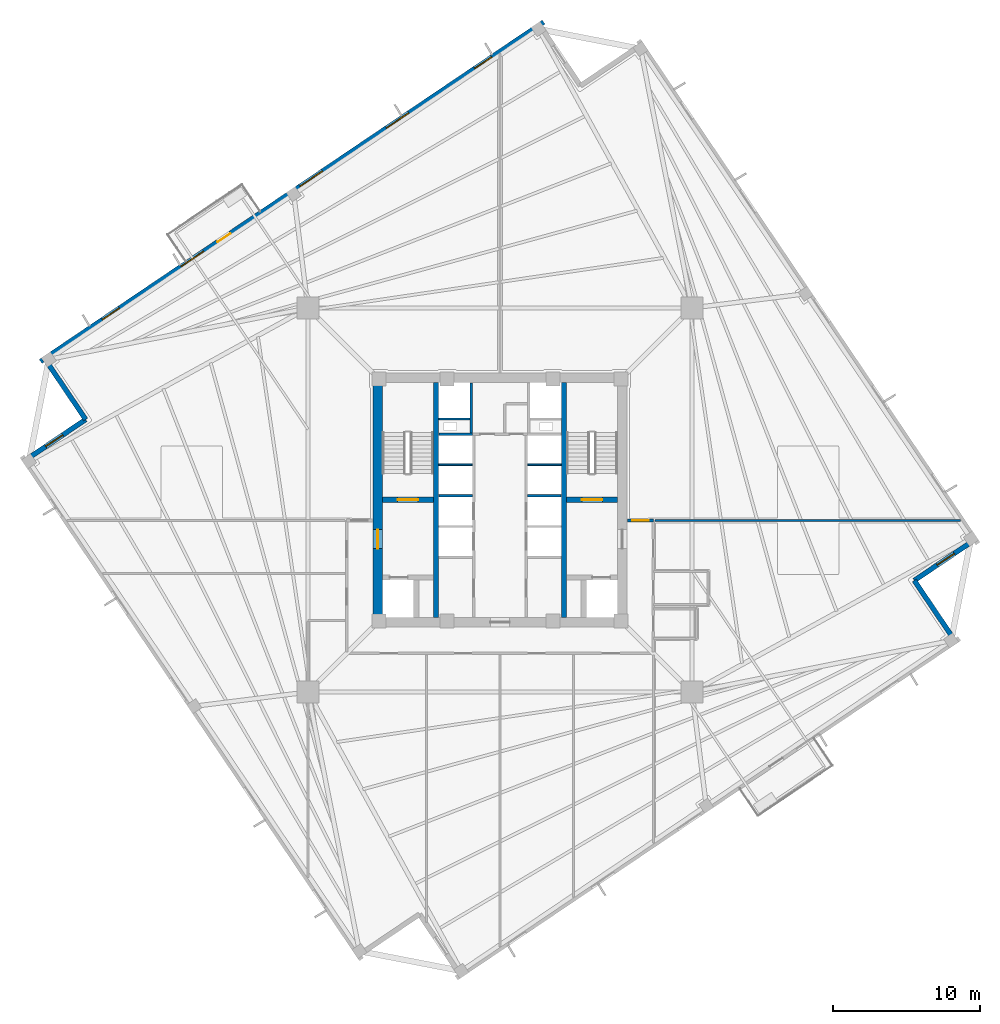
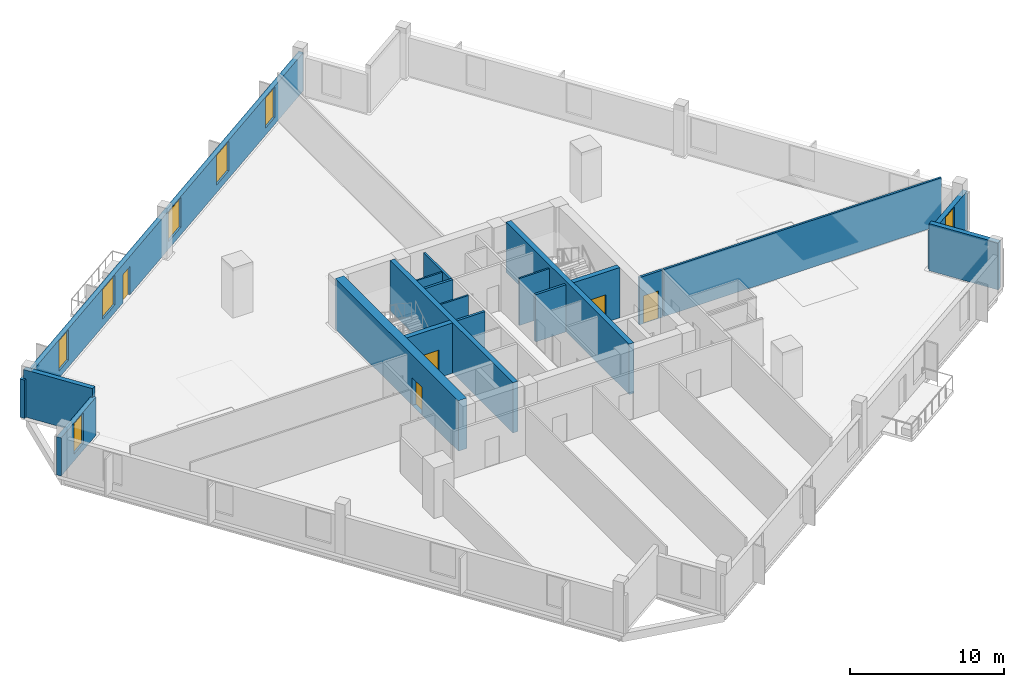
# One storey, part 4 of 8: 19 walls, 7 windows, 5 doors, 12 openings.
"""IFC4 building model written with IfcOpenShell, lengths in metres."""

from ifc_helpers import new_model, si_unit, direction, frame, frame_2d, origin, place, context, subcontext, project, spatial, rectangle, extrude, source, transform, mapped, material, layer, layer_set, type_object, element, fill, save


model = new_model("IFC4")

# Units and contexts
model_context = context("Model", 3, precision=1e-05, world=origin(), true_north=direction((0.0, 1.0)))
body_context = subcontext(model_context, "Body", "Model", "MODEL_VIEW")
ifc_project = project(units=[si_unit("LENGTHUNIT", "METRE"), si_unit("AREAUNIT", "SQUARE_METRE"), si_unit("VOLUMEUNIT", "CUBIC_METRE"), si_unit("PLANEANGLEUNIT", "RADIAN"), si_unit("MASSUNIT", "GRAM", prefix="KILO"), si_unit("THERMODYNAMICTEMPERATUREUNIT", "KELVIN")], contexts=[model_context])

# Site, building, storey
site_placement = place(None, origin())
site = spatial("IfcSite", under=ifc_project, at=site_placement, CompositionType="ELEMENT")
building_placement = place(site_placement, origin())
building = spatial("IfcBuilding", under=site, at=building_placement, Name="Kosmvard Interchange Tower", CompositionType="ELEMENT")
storey_placement = place(building_placement, frame((0.0, 0.0, 148.39990234375)))
storey = spatial("IfcBuildingStorey", under=building, at=storey_placement, Name="L35", CompositionType="ELEMENT", Elevation=148.39990234375)

# Walls
ifc_material_1 = material(Name="Acoustic gypsum partition system")
ifc_layer_1 = layer(ifc_material_1, 0.14990234375, Name="Acoustic gypsum partition system")
ifc_layer_set_1 = layer_set([ifc_layer_1], Name="Acoustic gypsum partition system")
wall_type_1 = type_object("IfcWallType", Name="Acoustic Suite & Meeting Partition 150", PredefinedType="PARTITIONING", material=ifc_layer_set_1)
wall_1_placement = place(storey_placement, frame((10.544921875, -1.39990234375, 0.0), z_axis=(0.0, 0.0, 1.0), x_axis=(1.0, 0.0, 0.0)))
element("IfcWall", 1, at=wall_1_placement, inside=storey, type_object=wall_type_1, Name="L35 Room Partition 03.1", PredefinedType="PARTITIONING", context=body_context, shape_type="SweptSolid", body=[
    extrude(rectangle(XDim=20.826171875, YDim=0.14990234375, at=frame_2d((10.4130859375, 0.0))), origin(), (0.0, 0.0, 1.0), 3.739990234375),
])
ifc_material_2 = material(Name="Fire-rated gypsum partition system")
ifc_layer_2 = layer(ifc_material_2, 0.159912109375, Name="Fire-rated gypsum partition system")
ifc_layer_set_2 = layer_set([ifc_layer_2], Name="Fire-rated gypsum partition system")
wall_type_2 = type_object("IfcWallType", Name="Core Compartment & Shuttle Lobby Partition 160", PredefinedType="PARTITIONING", material=ifc_layer_set_2)
wall_2_placement = place(storey_placement, frame((-1.9599609375, 4.580078125, 0.0), z_axis=(0.0, 0.0, 1.0), x_axis=(0.0, 1.0, 0.0)))
element("IfcWall", 2, at=wall_2_placement, inside=storey, type_object=wall_type_2, Name="L35 North Core West Wall", PredefinedType="PARTITIONING", context=body_context, shape_type="SweptSolid", body=[
    extrude(rectangle(XDim=3.39990234375, YDim=0.159912109375, at=frame_2d((1.699951171875, 0.0))), origin(), (0.0, 0.0, 1.0), 3.739990234375),
])

# Wall, opening, door
ifc_layer_3 = layer(ifc_material_2, 0.179931640625, Name="Fire-rated gypsum partition system")
ifc_layer_set_3 = layer_set([ifc_layer_3], Name="Fire-rated gypsum partition system")
wall_type_3 = type_object("IfcWallType", Name="Corridor & Hotel Compartment Partition 180", PredefinedType="PARTITIONING", material=ifc_layer_set_3)
wall_3_placement = place(storey_placement, frame((8.699951171875, -1.39990234375, 0.0), z_axis=(0.0, 0.0, 1.0), x_axis=(1.0, 0.0, 0.0)))
wall_3 = element("IfcWall", 3, at=wall_3_placement, inside=storey, type_object=wall_type_3, Name="L35 Corridor Wall CNE", PredefinedType="PARTITIONING", context=body_context, shape_type="SweptSolid", body=[
    extrude(rectangle(XDim=1.75, YDim=0.179931640625, at=frame_2d((0.875, 0.0))), origin(), (0.0, 0.0, 1.0), 3.739990234375),
])
opening_1_placement = place(wall_3_placement, frame((0.324951171875, 0.0, 0.0)))
opening_1 = element("IfcOpeningElement", 4, at=opening_1_placement, cuts=wall_3, Name="Opening L35-D04", PredefinedType="OPENING", context=body_context, shape_type="SweptSolid", body=[
    extrude(rectangle(XDim=1.10009765625, YDim=2.199951171875, at=frame_2d((0.550048828125, 1.10009765625))), frame((0.0, 0.10009765625, 0.0), z_axis=(0.0, -1.0, 0.0), x_axis=(1.0, 0.0, 0.0)), (0.0, 0.0, 1.0), 0.199951171875),
])
ifc_material_3 = material(Name="Engineered oak fire-rated timber", Category="wood")
door_type_1 = type_object("IfcDoorType", Name="Office Suite Entrance Door 1100x2200 FD30S", OperationType="NOTDEFINED", PredefinedType="DOOR", material=ifc_material_3)
shared_shape_1 = source(origin(), body_context, "Body", "SweptSolid", [
    extrude(rectangle(XDim=1.10009765625, YDim=2.199951171875, at=frame_2d((0.550048828125, 1.10009765625))), frame((0.0, 0.02490234375, 0.0), z_axis=(0.0, -1.0, 0.0), x_axis=(1.0, 0.0, 0.0)), (0.0, 0.0, 1.0), 0.050048828125),
])
door_1_placement = place(opening_1_placement, origin())
door_1 = element("IfcDoor", 5, at=door_1_placement, inside=storey, type_object=door_type_1, Name="L35 North-East Technology Workplace Door", OperationType="SINGLE_SWING_RIGHT", OverallHeight=2.199951171875, OverallWidth=1.10009765625, PredefinedType="DOOR", context=body_context, shape_type="MappedRepresentation", body=[
    mapped(shared_shape_1, transform((0.0, 0.0, 0.0), scale=1.0)),
])
fill(opening_1, door_1)

ifc_material_4 = material(Name="Concrete C70/85", Category="concrete")
ifc_layer_4 = layer(ifc_material_4, 0.64990234375, Name="Concrete C70/85")
ifc_layer_set_4 = layer_set([ifc_layer_4], Name="Concrete C70/85")
wall_type_4 = type_object("IfcWallType", Name="Mid Core Shear Wall 650 C70/85", PredefinedType="SHEAR", material=ifc_layer_set_4)
wall_4_placement = place(storey_placement, frame((-8.324951171875, -8.0, 0.0), z_axis=(0.0, 0.0, 1.0), x_axis=(0.0, 1.0, 0.0)))
wall_4 = element("IfcWall", 6, at=wall_4_placement, inside=storey, type_object=wall_type_4, Name="L35 Core Shear Wall CW-W", PredefinedType="SHEAR", context=body_context, shape_type="SweptSolid", body=[
    extrude(rectangle(XDim=16.0, YDim=0.64990234375, at=frame_2d((8.0, 0.0))), origin(), (0.0, 0.0, 1.0), 4.0),
])
opening_2_placement = place(wall_4_placement, frame((4.68994140625, 0.0, 0.0)))
opening_2 = element("IfcOpeningElement", 7, at=opening_2_placement, cuts=wall_4, Name="Opening L35-FD1", PredefinedType="OPENING", context=body_context, shape_type="SweptSolid", body=[
    extrude(rectangle(XDim=1.300048828125, YDim=2.199951171875, at=frame_2d((0.64990234375, 1.10009765625))), frame((0.0, 0.3349609375, 0.0), z_axis=(0.0, -1.0, 0.0), x_axis=(1.0, 0.0, 0.0)), (0.0, 0.0, 1.0), 0.669921875),
])
ifc_material_5 = material(Name="Painted fire-rated steel leaf", Category="steel")
door_type_2 = type_object("IfcDoorType", Name="Firefighting Lobby Door 1300x2200 EI60", OperationType="NOTDEFINED", PredefinedType="DOOR", material=ifc_material_5)
shared_shape_2 = source(origin(), body_context, "Body", "SweptSolid", [
    extrude(rectangle(XDim=1.300048828125, YDim=2.199951171875, at=frame_2d((0.64990234375, 1.10009765625))), frame((0.0, 0.02490234375, 0.0), z_axis=(0.0, -1.0, 0.0), x_axis=(1.0, 0.0, 0.0)), (0.0, 0.0, 1.0), 0.050048828125),
])
door_2_placement = place(opening_2_placement, frame((1.300048828125, 0.0, 0.0), z_axis=(0.0, 0.0, 1.0), x_axis=(-1.0, 0.0, 0.0)))
door_2 = element("IfcDoor", 8, at=door_2_placement, inside=storey, type_object=door_type_2, Name="L35 Firefighting Lobby West Door", OperationType="SINGLE_SWING_LEFT", OverallHeight=2.199951171875, OverallWidth=1.300048828125, PredefinedType="DOOR", context=body_context, shape_type="MappedRepresentation", body=[
    mapped(shared_shape_2, transform((0.0, 0.0, 0.0), scale=1.0)),
])
fill(opening_2, door_2)

# Wall
ifc_material_6 = material(Name="Precast concrete C45/55", Category="concrete")
ifc_layer_5 = layer(ifc_material_6, 0.340087890625, Name="Precast concrete C45/55")
ifc_layer_set_5 = layer_set([ifc_layer_5], Name="Precast concrete C45/55")
wall_type_5 = type_object("IfcWallType", Name="Mid Tower Precast Pier Wall 340 C45/55", PredefinedType="STANDARD", material=ifc_layer_set_5)
wall_5_placement = place(storey_placement, frame((31.018798828125, -9.631103515625, 0.0), z_axis=(0.0, 0.0, 1.0), x_axis=(-0.559210350234, 0.829025804298, 0.0)))
element("IfcWall", 9, at=wall_5_placement, inside=storey, type_object=wall_type_5, Name="L35 Precast Facade Wall N-SE1", PredefinedType="STANDARD", context=body_context, shape_type="SweptSolid", body=[
    extrude(rectangle(XDim=5.000244140625, YDim=0.340087890625, at=frame_2d((2.5, 0.0))), origin(), (0.0, 0.0, 1.0), 3.739990234375),
])

# Wall, opening, window
wall_6_placement = place(storey_placement, frame((28.22265625, -5.48583984375, 0.0), z_axis=(0.0, 0.0, 1.0), x_axis=(0.82905227345, 0.559171107879, 0.0)))
wall_6 = element("IfcWall", 10, at=wall_6_placement, inside=storey, type_object=wall_type_5, Name="L35 Precast Facade Wall N-SE2", PredefinedType="STANDARD", context=body_context, shape_type="SweptSolid", body=[
    extrude(rectangle(XDim=5.169921875, YDim=0.340087890625, at=frame_2d((2.5849609375, 0.0))), origin(), (0.0, 0.0, 1.0), 3.0400390625),
])
opening_3_placement = place(wall_6_placement, frame((1.885009765625, 0.0, 0.56005859375)))
opening_3 = element("IfcOpeningElement", 11, at=opening_3_placement, cuts=wall_6, Name="Opening L35-W21", PredefinedType="OPENING", context=body_context, shape_type="SweptSolid", body=[
    extrude(rectangle(XDim=1.39990234375, YDim=2.39990234375, at=frame_2d((0.699951171875, 1.199951171875))), frame((0.0, 0.18017578125, 0.0), z_axis=(0.0, -1.0, 0.0), x_axis=(1.0, 0.0, 0.0)), (0.0, 0.0, 1.0), 0.360107421875),
])
ifc_material_7 = material(Name="Low-E solar-control double glazing", Category="glass")
window_type_1 = type_object("IfcWindowType", Name="Notched Corner Feature Window 1400x2400", PartitioningType="SINGLE_PANEL", PredefinedType="WINDOW", material=ifc_material_7)
shared_shape_3 = source(origin(), body_context, "Body", "SweptSolid", [
    extrude(rectangle(XDim=1.39990234375, YDim=2.39990234375, at=frame_2d((0.699951171875, 1.199951171875))), frame((0.0, 0.030029296875, 0.0), z_axis=(0.0, -1.0, 0.0), x_axis=(1.0, 0.0, 0.0)), (0.0, 0.0, 1.0), 0.06005859375),
])
window_1_placement = place(opening_3_placement, origin())
window_1 = element("IfcWindow", 12, at=window_1_placement, inside=storey, type_object=window_type_1, Name="L35 Corner Notch Window 21", OverallHeight=2.39990234375, OverallWidth=1.39990234375, PartitioningType="SINGLE_PANEL", PredefinedType="WINDOW", context=body_context, shape_type="MappedRepresentation", body=[
    mapped(shared_shape_3, transform((0.0, 0.0, 0.0), scale=1.0)),
])
fill(opening_3, window_1)

# Wall, openings, door, windows
wall_7_placement = place(storey_placement, frame((2.971923828125, 32.55810546875, 0.0), z_axis=(0.0, 0.0, 1.0), x_axis=(-0.829036218961, -0.559194910251, 0.0)))
wall_7 = element("IfcWall", 13, at=wall_7_placement, inside=storey, type_object=wall_type_5, Name="L35 Precast Facade Wall F-N", PredefinedType="STANDARD", context=body_context, shape_type="SweptSolid", body=[
    extrude(rectangle(XDim=41.340087890625, YDim=0.340087890625, at=frame_2d((20.669921875, 0.0))), origin(), (0.0, 0.0, 1.0), 3.0400390625),
])
opening_4_placement = place(wall_7_placement, frame((25.7451171875, 0.0, 0.0)))
opening_4 = element("IfcOpeningElement", 14, at=opening_4_placement, cuts=wall_7, Name="Opening L35-BDE", PredefinedType="OPENING", context=body_context, shape_type="SweptSolid", body=[
    extrude(rectangle(XDim=1.050048828125, YDim=2.25, at=frame_2d((0.52490234375, 1.125))), frame((0.0, 0.18017578125, 0.0), z_axis=(0.0, -1.0, 0.0), x_axis=(1.0, 0.0, 0.0)), (0.0, 0.0, 1.0), 0.360107421875),
])
opening_5_placement = place(wall_7_placement, frame((4.2607421875, 0.0, 0.56005859375)))
opening_5 = element("IfcOpeningElement", 15, at=opening_5_placement, cuts=wall_7, Name="Opening L35-W11", PredefinedType="OPENING", context=body_context, shape_type="SweptSolid", body=[
    extrude(rectangle(XDim=1.39990234375, YDim=2.39990234375, at=frame_2d((0.699951171875, 1.199951171875))), frame((0.0, 0.18017578125, 0.0), z_axis=(0.0, -1.0, 0.0), x_axis=(1.0, 0.0, 0.0)), (0.0, 0.0, 1.0), 0.360107421875),
])
opening_6_placement = place(wall_7_placement, frame((11.063720703125, 0.0, 0.610107421875)))
opening_6 = element("IfcOpeningElement", 16, at=opening_6_placement, cuts=wall_7, Name="Opening L35-W12", PredefinedType="OPENING", context=body_context, shape_type="SweptSolid", body=[
    extrude(rectangle(XDim=1.85009765625, YDim=2.35009765625, at=frame_2d((0.925048828125, 1.175048828125))), frame((0.0, 0.18017578125, 0.0), z_axis=(0.0, -1.0, 0.0), x_axis=(1.0, 0.0, 0.0)), (0.0, 0.0, 1.0), 0.360107421875),
])
opening_7_placement = place(wall_7_placement, frame((18.168212890625, 0.0, 0.610107421875)))
opening_7 = element("IfcOpeningElement", 17, at=opening_7_placement, cuts=wall_7, Name="Opening L35-W13", PredefinedType="OPENING", context=body_context, shape_type="SweptSolid", body=[
    extrude(rectangle(XDim=1.85009765625, YDim=2.35009765625, at=frame_2d((0.925048828125, 1.175048828125))), frame((0.0, 0.18017578125, 0.0), z_axis=(0.0, -1.0, 0.0), x_axis=(1.0, 0.0, 0.0)), (0.0, 0.0, 1.0), 0.360107421875),
])
opening_8_placement = place(wall_7_placement, frame((27.936279296875, 0.0, 0.610107421875)))
opening_8 = element("IfcOpeningElement", 18, at=opening_8_placement, cuts=wall_7, Name="Opening L35-W14", PredefinedType="OPENING", context=body_context, shape_type="SweptSolid", body=[
    extrude(rectangle(XDim=1.85009765625, YDim=2.35009765625, at=frame_2d((0.925048828125, 1.175048828125))), frame((0.0, 0.18017578125, 0.0), z_axis=(0.0, -1.0, 0.0), x_axis=(1.0, 0.0, 0.0)), (0.0, 0.0, 1.0), 0.360107421875),
])
opening_9_placement = place(wall_7_placement, frame((34.852294921875, 0.0, 0.56005859375)))
opening_9 = element("IfcOpeningElement", 19, at=opening_9_placement, cuts=wall_7, Name="Opening L35-W15", PredefinedType="OPENING", context=body_context, shape_type="SweptSolid", body=[
    extrude(rectangle(XDim=1.39990234375, YDim=2.39990234375, at=frame_2d((0.699951171875, 1.199951171875))), frame((0.0, 0.18017578125, 0.0), z_axis=(0.0, -1.0, 0.0), x_axis=(1.0, 0.0, 0.0)), (0.0, 0.0, 1.0), 0.360107421875),
])
ifc_material_8 = material(Name="Anodised aluminium and safety glass", Category="aluminium")
door_type_3 = type_object("IfcDoorType", Name="Tree-Balcony Glazed Door 1050x2250", OperationType="NOTDEFINED", PredefinedType="DOOR", material=ifc_material_8)
shared_shape_4 = source(origin(), body_context, "Body", "SweptSolid", [
    extrude(rectangle(XDim=1.050048828125, YDim=2.25, at=frame_2d((0.52490234375, 1.125))), frame((0.0, 0.02490234375, 0.0), z_axis=(0.0, -1.0, 0.0), x_axis=(1.0, 0.0, 0.0)), (0.0, 0.0, 1.0), 0.050048828125),
])
door_3_placement = place(opening_4_placement, origin())
door_3 = element("IfcDoor", 20, at=door_3_placement, inside=storey, type_object=door_type_3, Name="L35 Tree-Balcony Door BAL-L35-NE", OperationType="SINGLE_SWING_RIGHT", OverallHeight=2.25, OverallWidth=1.050048828125, PredefinedType="DOOR", context=body_context, shape_type="MappedRepresentation", body=[
    mapped(shared_shape_4, transform((0.0, 0.0, 0.0), scale=1.0)),
])
fill(opening_4, door_3)
window_2_placement = place(opening_5_placement, origin())
window_2 = element("IfcWindow", 21, at=window_2_placement, inside=storey, type_object=window_type_1, Name="L35 Facade Punched Window 11", OverallHeight=2.39990234375, OverallWidth=1.39990234375, PartitioningType="SINGLE_PANEL", PredefinedType="WINDOW", context=body_context, shape_type="MappedRepresentation", body=[
    mapped(shared_shape_3, transform((0.0, 0.0, 0.0), scale=1.0)),
])
fill(opening_5, window_2)
window_3_placement = place(opening_9_placement, origin())
window_3 = element("IfcWindow", 22, at=window_3_placement, inside=storey, type_object=window_type_1, Name="L35 Facade Punched Window 15", OverallHeight=2.39990234375, OverallWidth=1.39990234375, PartitioningType="SINGLE_PANEL", PredefinedType="WINDOW", context=body_context, shape_type="MappedRepresentation", body=[
    mapped(shared_shape_3, transform((0.0, 0.0, 0.0), scale=1.0)),
])
fill(opening_9, window_3)
window_type_2 = type_object("IfcWindowType", Name="Zone 3 Office Punched Window 1850x2350", PartitioningType="SINGLE_PANEL", PredefinedType="WINDOW", material=ifc_material_7)
shared_shape_5 = source(origin(), body_context, "Body", "SweptSolid", [
    extrude(rectangle(XDim=1.85009765625, YDim=2.35009765625, at=frame_2d((0.925048828125, 1.175048828125))), frame((0.0, 0.030029296875, 0.0), z_axis=(0.0, -1.0, 0.0), x_axis=(1.0, 0.0, 0.0)), (0.0, 0.0, 1.0), 0.06005859375),
])
window_4_placement = place(opening_6_placement, origin())
window_4 = element("IfcWindow", 23, at=window_4_placement, inside=storey, type_object=window_type_2, Name="L35 Facade Punched Window 12", OverallHeight=2.35009765625, OverallWidth=1.85009765625, PartitioningType="SINGLE_PANEL", PredefinedType="WINDOW", context=body_context, shape_type="MappedRepresentation", body=[
    mapped(shared_shape_5, transform((0.0, 0.0, 0.0), scale=1.0)),
])
fill(opening_6, window_4)
window_5_placement = place(opening_7_placement, origin())
window_5 = element("IfcWindow", 24, at=window_5_placement, inside=storey, type_object=window_type_2, Name="L35 Facade Punched Window 13", OverallHeight=2.35009765625, OverallWidth=1.85009765625, PartitioningType="SINGLE_PANEL", PredefinedType="WINDOW", context=body_context, shape_type="MappedRepresentation", body=[
    mapped(shared_shape_5, transform((0.0, 0.0, 0.0), scale=1.0)),
])
fill(opening_7, window_5)
window_6_placement = place(opening_8_placement, origin())
window_6 = element("IfcWindow", 25, at=window_6_placement, inside=storey, type_object=window_type_2, Name="L35 Facade Punched Window 14", OverallHeight=2.35009765625, OverallWidth=1.85009765625, PartitioningType="SINGLE_PANEL", PredefinedType="WINDOW", context=body_context, shape_type="MappedRepresentation", body=[
    mapped(shared_shape_5, transform((0.0, 0.0, 0.0), scale=1.0)),
])
fill(opening_8, window_6)

# Wall
wall_8_placement = place(storey_placement, frame((-31.018798828125, 9.631103515625, 0.0), z_axis=(0.0, 0.0, 1.0), x_axis=(0.559210350234, -0.829025804298, 0.0)))
element("IfcWall", 26, at=wall_8_placement, inside=storey, type_object=wall_type_5, Name="L35 Precast Facade Wall N-NW1", PredefinedType="STANDARD", context=body_context, shape_type="SweptSolid", body=[
    extrude(rectangle(XDim=5.000244140625, YDim=0.340087890625, at=frame_2d((2.5, 0.0))), origin(), (0.0, 0.0, 1.0), 3.739990234375),
])

# Wall, opening, window
wall_9_placement = place(storey_placement, frame((-28.22265625, 5.48583984375, 0.0), z_axis=(0.0, 0.0, 1.0), x_axis=(-0.82905227345, -0.559171107879, 0.0)))
wall_9 = element("IfcWall", 27, at=wall_9_placement, inside=storey, type_object=wall_type_5, Name="L35 Precast Facade Wall N-NW2", PredefinedType="STANDARD", context=body_context, shape_type="SweptSolid", body=[
    extrude(rectangle(XDim=5.169921875, YDim=0.340087890625, at=frame_2d((2.5849609375, 0.0))), origin(), (0.0, 0.0, 1.0), 3.0400390625),
])
opening_10_placement = place(wall_9_placement, frame((1.885009765625, 0.0, 0.56005859375)))
opening_10 = element("IfcOpeningElement", 28, at=opening_10_placement, cuts=wall_9, Name="Opening L35-W23", PredefinedType="OPENING", context=body_context, shape_type="SweptSolid", body=[
    extrude(rectangle(XDim=1.39990234375, YDim=2.39990234375, at=frame_2d((0.699951171875, 1.199951171875))), frame((0.0, 0.18017578125, 0.0), z_axis=(0.0, -1.0, 0.0), x_axis=(1.0, 0.0, 0.0)), (0.0, 0.0, 1.0), 0.360107421875),
])
window_7_placement = place(opening_10_placement, origin())
window_7 = element("IfcWindow", 29, at=window_7_placement, inside=storey, type_object=window_type_1, Name="L35 Corner Notch Window 23", OverallHeight=2.39990234375, OverallWidth=1.39990234375, PartitioningType="SINGLE_PANEL", PredefinedType="WINDOW", context=body_context, shape_type="MappedRepresentation", body=[
    mapped(shared_shape_3, transform((0.0, 0.0, 0.0), scale=1.0)),
])
fill(opening_10, window_7)

# Walls
ifc_material_9 = material(Name="Concrete blockwork masonry", Category="masonry")
ifc_layer_6 = layer(ifc_material_9, 0.179931640625, Name="Concrete blockwork masonry")
ifc_layer_set_6 = layer_set([ifc_layer_6], Name="Concrete blockwork masonry")
wall_type_6 = type_object("IfcWallType", Name="Riser & Lift Bank Divider Wall 180", PredefinedType="PARTITIONING", material=ifc_layer_set_6)
for number, where, z_axis, x_axis, name in (
    (30, (-4.169921875, 0.300048828125, 0.0), (0.0, 0.0, 1.0), (1.0, 0.0, 0.0), "L35 West Bank Divider BD2"),
    (31, (1.889892578125, 0.300048828125, 0.0), (0.0, 0.0, 1.0), (1.0, 0.0, 0.0), "L35 East Bank Divider BD2"),
    (32, (-4.169921875, 4.489990234375, 0.0), (0.0, 0.0, 1.0), (1.0, 0.0, 0.0), "L35 West Bank Divider BD3"),
):
    element("IfcWall", number, at=place(storey_placement, frame(where, z_axis=z_axis, x_axis=x_axis)), inside=storey, type_object=wall_type_6, Name=name, PredefinedType="PARTITIONING", context=body_context, shape_type="SweptSolid", body=[
        extrude(rectangle(XDim=2.280029296875, YDim=0.179931640625, at=frame_2d((1.14013671875, 0.0))), origin(), (0.0, 0.0, 1.0), 3.739990234375),
    ])
ifc_material_10 = material(Name="Fire-rated gypsum shaftwall system")
ifc_layer_7 = layer(ifc_material_10, 0.1201171875, Name="Fire-rated gypsum shaftwall system")
ifc_layer_set_7 = layer_set([ifc_layer_7], Name="Fire-rated gypsum shaftwall system")
wall_type_7 = type_object("IfcWallType", Name="Shaft & Riser Fire Partition 120 EI60", PredefinedType="PARTITIONING", material=ifc_layer_set_7)
for number, where, z_axis, x_axis, name in (
    (33, (-4.159912109375, 2.39990234375, 0.0), (0.0, 0.0, 1.0), (1.0, 0.0, 0.0), "L35 Shaft Divider PL-H1"),
    (34, (1.89990234375, 2.39990234375, 0.0), (0.0, 0.0, 1.0), (1.0, 0.0, 0.0), "L35 Shaft Divider PL-H3"),
):
    element("IfcWall", number, at=place(storey_placement, frame(where, z_axis=z_axis, x_axis=x_axis)), inside=storey, type_object=wall_type_7, Name=name, PredefinedType="PARTITIONING", context=body_context, shape_type="SweptSolid", body=[
        extrude(rectangle(XDim=2.260009765625, YDim=0.1201171875, at=frame_2d((1.1298828125, 0.0))), origin(), (0.0, 0.0, 1.0), 3.739990234375),
    ])
wall_10_placement = place(storey_placement, frame((-4.159912109375, 5.52001953125, 0.0), z_axis=(0.0, 0.0, 1.0), x_axis=(1.0, 0.0, 0.0)))
element("IfcWall", 35, at=wall_10_placement, inside=storey, type_object=wall_type_7, Name="L35 Riser Shaft Divider W", PredefinedType="PARTITIONING", context=body_context, shape_type="SweptSolid", body=[
    extrude(rectangle(XDim=2.099853515625, YDim=0.1201171875, at=frame_2d((1.0498046875, 0.0))), origin(), (0.0, 0.0, 1.0), 3.739990234375),
])
ifc_material_11 = material(Name="Concrete C60/75", Category="concrete")
ifc_layer_8 = layer(ifc_material_11, 0.360107421875, Name="Concrete C60/75")
ifc_layer_set_8 = layer_set([ifc_layer_8], Name="Concrete C60/75")
wall_type_8 = type_object("IfcWallType", Name="Stair & Lift Shaft Shear Wall 360 C60/75", PredefinedType="SHEAR", material=ifc_layer_set_8)
for number, where, z_axis, x_axis, name in (
    (36, (-4.360107421875, -8.0, 0.0), (0.0, 0.0, 1.0), (0.0, 1.0, 0.0), "L35 Shaft Shear Wall SW-W"),
    (37, (4.360107421875, -8.0, 0.0), (0.0, 0.0, 1.0), (0.0, 1.0, 0.0), "L35 Shaft Shear Wall SW-E"),
):
    element("IfcWall", number, at=place(storey_placement, frame(where, z_axis=z_axis, x_axis=x_axis)), inside=storey, type_object=wall_type_8, Name=name, PredefinedType="SHEAR", context=body_context, shape_type="SweptSolid", body=[
        extrude(rectangle(XDim=16.0, YDim=0.360107421875, at=frame_2d((8.0, 0.0))), origin(), (0.0, 0.0, 1.0), 4.0),
    ])

# Wall, opening, door
wall_11_placement = place(storey_placement, frame((-8.0, 0.02001953125, 0.0), z_axis=(0.0, 0.0, 1.0), x_axis=(1.0, 0.0, 0.0)))
wall_11 = element("IfcWall", 38, at=wall_11_placement, inside=storey, type_object=wall_type_8, Name="L35 Shaft Shear Wall SW-ST1", PredefinedType="SHEAR", context=body_context, shape_type="SweptSolid", body=[
    extrude(rectangle(XDim=3.4599609375, YDim=0.360107421875, at=frame_2d((1.72998046875, 0.0))), origin(), (0.0, 0.0, 1.0), 4.0),
])
opening_11_placement = place(wall_11_placement, frame((1.030029296875, 0.0, 0.0)))
opening_11 = element("IfcOpeningElement", 39, at=opening_11_placement, cuts=wall_11, Name="Opening L35-SD1", PredefinedType="OPENING", context=body_context, shape_type="SweptSolid", body=[
    extrude(rectangle(XDim=1.39990234375, YDim=2.199951171875, at=frame_2d((0.699951171875, 1.10009765625))), frame((0.0, 0.18994140625, 0.0), z_axis=(0.0, -1.0, 0.0), x_axis=(1.0, 0.0, 0.0)), (0.0, 0.0, 1.0), 0.380126953125),
])
door_type_4 = type_object("IfcDoorType", Name="Protected Stair Door 1400x2200 FD60S", OperationType="NOTDEFINED", PredefinedType="DOOR", material=ifc_material_5)
shared_shape_6 = source(origin(), body_context, "Body", "SweptSolid", [
    extrude(rectangle(XDim=1.39990234375, YDim=2.199951171875, at=frame_2d((0.699951171875, 1.10009765625))), frame((0.0, 0.02490234375, 0.0), z_axis=(0.0, -1.0, 0.0), x_axis=(1.0, 0.0, 0.0)), (0.0, 0.0, 1.0), 0.050048828125),
])
door_4_placement = place(opening_11_placement, origin())
door_4 = element("IfcDoor", 40, at=door_4_placement, inside=storey, type_object=door_type_4, Name="L35 Stair ST-1 Enclosure Door", OperationType="SINGLE_SWING_LEFT", OverallHeight=2.199951171875, OverallWidth=1.39990234375, PredefinedType="DOOR", context=body_context, shape_type="MappedRepresentation", body=[
    mapped(shared_shape_6, transform((0.0, 0.0, 0.0), scale=1.0)),
])
fill(opening_11, door_4)

wall_12_placement = place(storey_placement, frame((4.5400390625, 0.02001953125, 0.0), z_axis=(0.0, 0.0, 1.0), x_axis=(1.0, 0.0, 0.0)))
wall_12 = element("IfcWall", 41, at=wall_12_placement, inside=storey, type_object=wall_type_8, Name="L35 Shaft Shear Wall SW-ST2", PredefinedType="SHEAR", context=body_context, shape_type="SweptSolid", body=[
    extrude(rectangle(XDim=3.4599609375, YDim=0.360107421875, at=frame_2d((1.72998046875, 0.0))), origin(), (0.0, 0.0, 1.0), 4.0),
])
opening_12_placement = place(wall_12_placement, frame((1.030029296875, 0.0, 0.0)))
opening_12 = element("IfcOpeningElement", 42, at=opening_12_placement, cuts=wall_12, Name="Opening L35-SD2", PredefinedType="OPENING", context=body_context, shape_type="SweptSolid", body=[
    extrude(rectangle(XDim=1.39990234375, YDim=2.199951171875, at=frame_2d((0.699951171875, 1.10009765625))), frame((0.0, 0.18994140625, 0.0), z_axis=(0.0, -1.0, 0.0), x_axis=(1.0, 0.0, 0.0)), (0.0, 0.0, 1.0), 0.380126953125),
])
door_5_placement = place(opening_12_placement, origin())
door_5 = element("IfcDoor", 43, at=door_5_placement, inside=storey, type_object=door_type_4, Name="L35 Stair ST-2 Enclosure Door", OperationType="SINGLE_SWING_RIGHT", OverallHeight=2.199951171875, OverallWidth=1.39990234375, PredefinedType="DOOR", context=body_context, shape_type="MappedRepresentation", body=[
    mapped(shared_shape_6, transform((0.0, 0.0, 0.0), scale=1.0)),
])
fill(opening_12, door_5)

save(model, "model.ifc")
